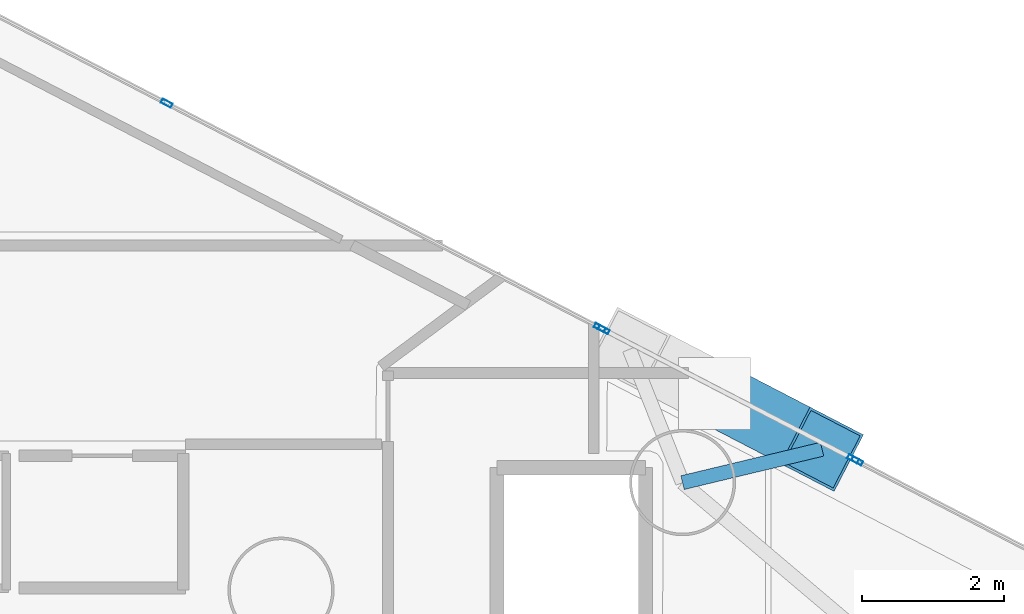
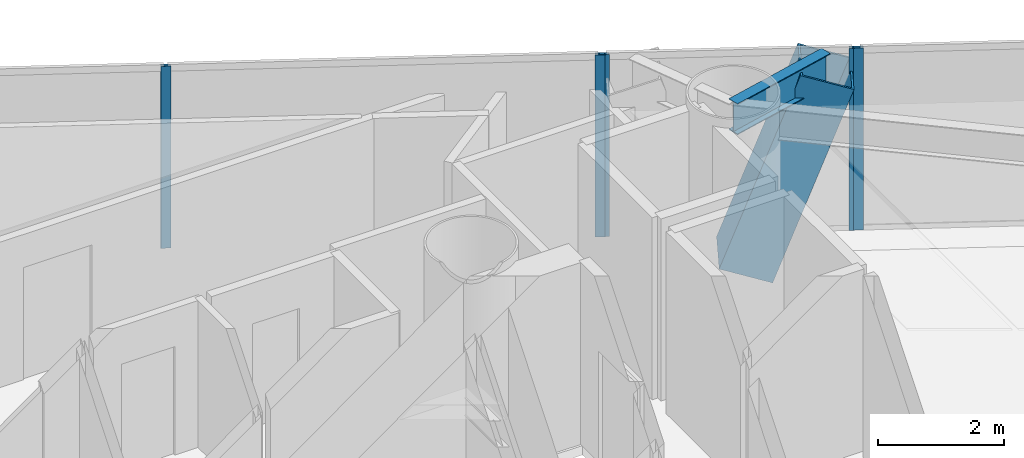
# One storey, part 11 of 21: 6 members, 1 beam, 3 elements without a shape of their own.
"""IFC4 building model written with IfcOpenShell, lengths in metres."""

import ifcopenshell
import ifcopenshell.guid

model = None  # the IFC model being written
_history = None  # IfcOwnerHistory: only IFC2X3 demands one
_inside = {}  # id of a spatial element -> (the spatial element, [elements in it])
_under = {}  # id of a project, library or spatial element -> (it, [spatial elements below it])
_declared = {}  # id of a project -> (the project, [libraries it declares])
_typed = {}  # id of a type object -> (the type object, [elements of that type])
_made_of = {}  # id of a material, layer set ... -> (it, [elements and type objects made of it])


def new_model(schema):
    """Start an empty IFC model of exactly this schema.

    Asked for "IFC4X3", IfcOpenShell would pick the latest addendum, in which some entities
    have other attributes; the version numbers below select the first issue.
    IFC2X3 requires an IfcOwnerHistory on every rooted entity: one is made here for all.
    """
    global model, _history
    if schema == "IFC4X3":
        model = ifcopenshell.file(schema_version=(4, 3, 0, 0))
    else:
        model = ifcopenshell.file(schema=schema)
    _inside.clear()
    _under.clear()
    _declared.clear()
    _typed.clear()
    _made_of.clear()
    _history = None
    if model.schema == "IFC2X3":
        org = make("IfcOrganization", Name="unknown")
        user = make(
            "IfcPersonAndOrganization",
            ThePerson=make("IfcPerson", FamilyName="unknown"),
            TheOrganization=org,
        )
        app = make(
            "IfcApplication",
            ApplicationDeveloper=org,
            Version="unknown",
            ApplicationFullName="unknown",
            ApplicationIdentifier="unknown",
        )
        _history = make(
            "IfcOwnerHistory",
            OwningUser=user,
            OwningApplication=app,
            ChangeAction="ADDED",
            CreationDate=0,
        )
    return model


def make(cls, **values):
    """One entity of the class cls with the attributes given. An attribute that is None is left unset."""
    return model.create_entity(
        cls, **{name: value for name, value in values.items() if value is not None}
    )


def rooted(cls, **values):
    """An entity with a GlobalId (a new one), such as an element, a storey or a relation."""
    return make(cls, GlobalId=ifcopenshell.guid.new(), OwnerHistory=_history, **values)


def si_unit(unit_type, name, prefix=None):
    """IfcSIUnit, for example si_unit("LENGTHUNIT", "METRE", prefix="MILLI")."""
    return make("IfcSIUnit", UnitType=unit_type, Prefix=prefix, Name=name)


def assignment(units):
    """IfcUnitAssignment: the units of a project."""
    return None if units is None else make("IfcUnitAssignment", Units=units)


def point(xyz):
    """IfcCartesianPoint."""
    return None if xyz is None else make("IfcCartesianPoint", Coordinates=xyz)


def direction(xyz):
    """IfcDirection."""
    return None if xyz is None else make("IfcDirection", DirectionRatios=xyz)


def frame(location, z_axis=None, x_axis=None):
    """IfcAxis2Placement3D, a coordinate frame: its origin and axes. An axis left out is left unset."""
    return make(
        "IfcAxis2Placement3D",
        Location=point(location),
        Axis=direction(z_axis),
        RefDirection=direction(x_axis),
    )


def frame_2d(location, x_axis=None):
    """IfcAxis2Placement2D, a coordinate frame in the plane: its origin and x axis."""
    return make(
        "IfcAxis2Placement2D", Location=point(location), RefDirection=direction(x_axis)
    )


def origin():
    """The frame at (0, 0, 0) with its axes left unset."""
    return frame((0.0, 0.0, 0.0))


def origin_2d():
    """The frame at (0, 0) in the plane with its x axis left unset."""
    return frame_2d((0.0, 0.0))


def place(relative_to, where):
    """IfcLocalPlacement: puts the frame where relative to a parent placement (None: the world)."""
    return make(
        "IfcLocalPlacement", PlacementRelTo=relative_to, RelativePlacement=where
    )


def context(
    kind, dimensions, precision=None, world=None, true_north=None, identifier=None
):
    """IfcGeometricRepresentationContext, for example the 3D "Model" context."""
    return make(
        "IfcGeometricRepresentationContext",
        ContextIdentifier=identifier,
        ContextType=kind,
        CoordinateSpaceDimension=dimensions,
        Precision=precision,
        WorldCoordinateSystem=world,
        TrueNorth=true_north,
    )


def subcontext(parent, identifier, kind, view, scale=None):
    """IfcGeometricRepresentationSubContext, for example "Body" below "Model"."""
    return make(
        "IfcGeometricRepresentationSubContext",
        ContextIdentifier=identifier,
        ContextType=kind,
        ParentContext=parent,
        TargetScale=scale,
        TargetView=view,
    )


def project(units=None, contexts=None):
    """IfcProject with its units and contexts."""
    return rooted(
        "IfcProject",
        Name="project",
        RepresentationContexts=contexts,
        UnitsInContext=assignment(units),
    )


def spatial(cls, under=None, at=None, **own):
    """A site, building, storey or space (cls), placed at a placement, below another one or the project."""
    s = rooted(cls, ObjectPlacement=at, **own)
    if under is not None:
        _under.setdefault(under.id(), (under, []))[1].append(s)
    return s


def profile(cls, at=None, kind="AREA", **sizes):
    """A parametric profile (cls). Its sizes go by their IFC names, for example OverallWidth=200.0."""
    return make(cls, ProfileType=kind, Position=at, **sizes)


def hollow_rectangle(**sizes):
    """IfcRectangleHollowProfileDef."""
    return profile("IfcRectangleHollowProfileDef", **sizes)


def i_section(**sizes):
    """IfcIShapeProfileDef."""
    return profile("IfcIShapeProfileDef", **sizes)


def extrude(swept, where, along, depth):
    """IfcExtrudedAreaSolid: the profile swept, set in the frame where, extruded along a direction by depth."""
    return make(
        "IfcExtrudedAreaSolid",
        SweptArea=swept,
        Position=where,
        ExtrudedDirection=direction(along),
        Depth=depth,
    )


def shape(context_of_items, identifier, shape_type, items):
    """IfcShapeRepresentation: the items that make up one representation, for example the "Body"."""
    return make(
        "IfcShapeRepresentation",
        ContextOfItems=context_of_items,
        RepresentationIdentifier=identifier,
        RepresentationType=shape_type,
        Items=items,
    )


def material(Name=None, Category=None):
    """IfcMaterial."""
    return make("IfcMaterial", Name=Name, Category=Category)


def layer(
    of_material, thickness, ventilated=None, Name=None, Category=None, Priority=None
):
    """IfcMaterialLayer: one layer of a wall or slab, of a material (None: an air gap)."""
    return make(
        "IfcMaterialLayer",
        Material=of_material,
        LayerThickness=thickness,
        IsVentilated=ventilated,
        Name=Name,
        Category=Category,
        Priority=Priority,
    )


def layer_set(layers, Name=None):
    """IfcMaterialLayerSet."""
    return make("IfcMaterialLayerSet", MaterialLayers=layers, LayerSetName=Name)


def material_profile(
    of_material, cross_section, Name=None, Category=None, Priority=None
):
    """IfcMaterialProfile: a cross section and its material."""
    return make(
        "IfcMaterialProfile",
        Name=Name,
        Material=of_material,
        Profile=cross_section,
        Priority=Priority,
        Category=Category,
    )


def profile_set(profiles, Name=None, composite=None):
    """IfcMaterialProfileSet."""
    return make(
        "IfcMaterialProfileSet",
        Name=Name,
        MaterialProfiles=profiles,
        CompositeProfile=composite,
    )


def made_of(thing, what):
    """Note that an element or type object is made of a material, layer set ...; save() writes the relation."""
    if what is not None:
        _made_of.setdefault(what.id(), (what, []))[1].append(thing)
    return thing


def type_object(cls, material=None, **own):
    """A type object (cls), such as IfcWallType, which elements share."""
    return made_of(rooted(cls, **own), material)


def element(
    cls,
    number,
    at=None,
    inside=None,
    cuts=None,
    type_object=None,
    material=None,
    context=None,
    identifier="Body",
    shape_type=None,
    held_by="IfcProductDefinitionShape",
    body=None,
    shapes=None,
    **own,
):
    """One element of the class cls, such as IfcWall. Its Tag is "e" and its number.

    at: its placement. inside: the storey or other place that contains it. cuts: it is an
    opening in that element (IfcRelVoidsElement). A single representation is given by context,
    identifier, shape_type and body (its items); several are given by shapes. held_by: the class
    of the entity that holds the representations. save() writes the other relations.
    """
    e = rooted(cls, Tag="e%d" % number, ObjectPlacement=at, **own)
    if body is not None:
        shapes = [shape(context, identifier, shape_type, body)]
    if shapes is not None:
        e.Representation = make(held_by, Representations=shapes)
    if inside is not None:
        _inside.setdefault(inside.id(), (inside, []))[1].append(e)
    if cuts is not None:
        rooted(
            "IfcRelVoidsElement", RelatingBuildingElement=cuts, RelatedOpeningElement=e
        )
    if type_object is not None:
        _typed.setdefault(type_object.id(), (type_object, []))[1].append(e)
    return made_of(e, material)


def aggregate(whole, parts):
    """IfcRelAggregates: a whole, such as a stair, and the parts it consists of."""
    return rooted("IfcRelAggregates", RelatingObject=whole, RelatedObjects=parts)


def save(model, path):
    """Write the relations noted so far, then the file.

    IfcRelAggregates (storeys below a building ...), IfcRelContainedInSpatialStructure (elements
    in a storey), IfcRelDefinesByType, IfcRelAssociatesMaterial and IfcRelDeclares: one each for
    every whole, place, type object, material and project.
    """
    for whole, parts in _under.values():
        aggregate(whole, parts)
    for where, things in _inside.values():
        rooted(
            "IfcRelContainedInSpatialStructure",
            RelatedElements=things,
            RelatingStructure=where,
        )
    for kind, things in _typed.values():
        rooted("IfcRelDefinesByType", RelatedObjects=things, RelatingType=kind)
    for what, things in _made_of.values():
        rooted("IfcRelAssociatesMaterial", RelatedObjects=things, RelatingMaterial=what)
    for by, libraries in _declared.values():
        rooted("IfcRelDeclares", RelatingContext=by, RelatedDefinitions=libraries)
    model.write(path)


model = new_model("IFC4")

# Units and contexts
model_context = context("Model", 3, precision=1e-05, world=origin(), true_north=direction((0.0, 1.0)))
body_context = subcontext(model_context, "Body", "Model", "MODEL_VIEW")
ifc_project = project(units=[si_unit("LENGTHUNIT", "METRE"), si_unit("AREAUNIT", "SQUARE_METRE"), si_unit("VOLUMEUNIT", "CUBIC_METRE"), si_unit("PLANEANGLEUNIT", "RADIAN"), si_unit("MASSUNIT", "GRAM", prefix="KILO")], contexts=[model_context])

# Site, building, storey
site_placement = place(None, origin())
site = spatial("IfcSite", under=ifc_project, at=site_placement, CompositionType="ELEMENT")
building_placement = place(site_placement, origin())
building = spatial("IfcBuilding", under=site, at=building_placement, Name="Qianvela Tower", CompositionType="ELEMENT")
storey_placement = place(building_placement, frame((0.0, 0.0, 131.10009765625)))
storey = spatial("IfcBuildingStorey", under=building, at=storey_placement, Name="L33", CompositionType="ELEMENT", Elevation=131.10009765625)

# Beam
ifc_material_1 = material(Name="Steel Q355B", Category="steel")
ifc_material_profile_1 = material_profile(ifc_material_1, i_section(OverallWidth=0.199951171875, OverallDepth=0.60009765625, WebThickness=0.010986328125, FlangeThickness=0.01708984375, at=origin_2d()), Name="HN600x200x11x17")
ifc_profile_set_1 = profile_set([ifc_material_profile_1], Name="Steel Q355B")
beam_type = type_object("IfcBeamType", Name="BM-HN600-GIRD", PredefinedType="BEAM", material=ifc_profile_set_1)
beam_placement = place(storey_placement, frame((44.071044921875, 35.070068359375, 3.218017578125), z_axis=(0.972504195382, 0.232885357987, 0.0), x_axis=(-0.232885357987, 0.972504195382, 0.0)))
element("IfcBeam", 1, at=beam_placement, inside=storey, type_object=beam_type, Name="L33 Mega-Brace Column Tie Bracket F1-1", PredefinedType="BEAM", context=body_context, shape_type="SweptSolid", body=[
    extrude(i_section(OverallWidth=0.199951171875, OverallDepth=0.60009765625, WebThickness=0.010986328125, FlangeThickness=0.01708984375, at=origin_2d()), origin(), (0.0, 0.0, 1.0), 2.0263671875),
])

# Curtain wall, members
ifc_material_2 = material(Name="Anodised Architectural Aluminium and Insulated Spandrel Panel", Category="aluminium")
ifc_layer_1 = layer(ifc_material_2, 0.179931640625)
ifc_layer_set_1 = layer_set([ifc_layer_1], Name="Anodised Architectural Aluminium and Insulated Spandrel Panel")
curtain_wall_type_1 = type_object("IfcCurtainWallType", Name="CW-BRACEBAY", PredefinedType="USERDEFINED", material=ifc_layer_set_1)
curtain_wall_1_placement = place(storey_placement, origin())
curtain_wall_1 = element("IfcCurtainWall", 2, at=curtain_wall_1_placement, inside=storey, type_object=curtain_wall_type_1, Name="L33 CW-BRACEBAY Curtain Wall 02B", ObjectType="CURTAIN_WALL_SYSTEM", PredefinedType="USERDEFINED")
ifc_material_3 = material(Name="Anodised Architectural Aluminium 6063-T6", Category="aluminium")
ifc_material_profile_2 = material_profile(ifc_material_3, hollow_rectangle(XDim=0.06494140625, YDim=0.159912109375, WallThickness=0.0048828125, at=origin_2d()), Name="ALU-MULL-65x160")
ifc_profile_set_2 = profile_set([ifc_material_profile_2], Name="Anodised Architectural Aluminium 6063-T6")
member_type_1 = type_object("IfcMemberType", Name="CW-BRACEBAY-MULL", PredefinedType="MULLION", material=ifc_profile_set_2)
member_1_placement = place(storey_placement, frame((46.479248046875, 35.405517578125, 0.0), z_axis=(0.0, 0.0, 1.0), x_axis=(-0.46008029977, -0.887877310085, 0.0)))
member_1 = element("IfcMember", 3, at=member_1_placement, type_object=member_type_1, Name="CW-9 mullion 1", PredefinedType="MULLION", context=body_context, shape_type="SweptSolid", body=[
    extrude(hollow_rectangle(XDim=0.06494140625, YDim=0.159912109375, WallThickness=0.0048828125, at=origin_2d()), origin(), (0.0, 0.0, 1.0), 3.52001953125),
])
member_2_placement = place(storey_placement, frame((42.958984375, 37.229736328125, 0.0), z_axis=(0.0, 0.0, 1.0), x_axis=(-0.46008029977, -0.887877310085, 0.0)))
member_2 = element("IfcMember", 4, at=member_2_placement, type_object=member_type_1, Name="CW-9 mullion 2", PredefinedType="MULLION", context=body_context, shape_type="SweptSolid", body=[
    extrude(hollow_rectangle(XDim=0.06494140625, YDim=0.159912109375, WallThickness=0.0048828125, at=origin_2d()), origin(), (0.0, 0.0, 1.0), 3.52001953125),
])
aggregate(curtain_wall_1, [member_1, member_2])

# Curtain wall, member
ifc_material_4 = material(Name="Anodised Architectural Aluminium and Low-E Glass", Category="aluminium")
ifc_layer_2 = layer(ifc_material_4, 0.169921875)
ifc_layer_set_2 = layer_set([ifc_layer_2], Name="Anodised Architectural Aluminium and Low-E Glass")
curtain_wall_type_2 = type_object("IfcCurtainWallType", Name="CW-COLIV-Z34", PredefinedType="USERDEFINED", material=ifc_layer_set_2)
curtain_wall_2_placement = place(storey_placement, origin())
curtain_wall_2 = element("IfcCurtainWall", 5, at=curtain_wall_2_placement, inside=storey, type_object=curtain_wall_type_2, Name="L33 CW-COLIV-Z34 Curtain Wall 02A", ObjectType="CURTAIN_WALL_SYSTEM", PredefinedType="USERDEFINED")
ifc_material_5 = material(Name="Anodised Architectural Aluminium 6063-T6", Category="aluminium")
ifc_material_profile_3 = material_profile(ifc_material_5, hollow_rectangle(XDim=0.06494140625, YDim=0.159912109375, WallThickness=0.0048828125, at=origin_2d()), Name="ALU-MULL-65x160")
ifc_profile_set_3 = profile_set([ifc_material_profile_3], Name="Anodised Architectural Aluminium 6063-T6")
member_type_2 = type_object("IfcMemberType", Name="CW-COLIV-Z34-MULL", PredefinedType="MULLION", material=ifc_profile_set_3)
member_3_placement = place(storey_placement, frame((46.537109375, 35.37548828125, 0.0), z_axis=(0.0, 0.0, 1.0), x_axis=(-0.460093683076, -0.887870374995, 0.0)))
member_3 = element("IfcMember", 6, at=member_3_placement, type_object=member_type_2, Name="CW-4 mullion 3", PredefinedType="MULLION", context=body_context, shape_type="SweptSolid", body=[
    extrude(hollow_rectangle(XDim=0.06494140625, YDim=0.159912109375, WallThickness=0.0048828125, at=origin_2d()), origin(), (0.0, 0.0, 1.0), 3.52001953125),
])
aggregate(curtain_wall_2, [member_3])

# Curtain wall, members
curtain_wall_3_placement = place(storey_placement, origin())
curtain_wall_3 = element("IfcCurtainWall", 7, at=curtain_wall_3_placement, inside=storey, type_object=curtain_wall_type_2, Name="L33 CW-COLIV-Z34 Curtain Wall 02C", ObjectType="CURTAIN_WALL_SYSTEM", PredefinedType="USERDEFINED")
member_4_placement = place(storey_placement, frame((42.901123046875, 37.259521484375, 0.0), z_axis=(0.0, 0.0, 1.0), x_axis=(-0.460094279682, -0.887870065834, 0.0)))
member_4 = element("IfcMember", 8, at=member_4_placement, type_object=member_type_2, Name="CW-4 mullion 1", PredefinedType="MULLION", context=body_context, shape_type="SweptSolid", body=[
    extrude(hollow_rectangle(XDim=0.06494140625, YDim=0.159912109375, WallThickness=0.0048828125, at=origin_2d()), origin(), (0.0, 0.0, 1.0), 3.52001953125),
])
member_5_placement = place(storey_placement, frame((36.784423828125, 40.42919921875, 0.0), z_axis=(0.0, 0.0, 1.0), x_axis=(-0.460094279682, -0.887870065834, 0.0)))
member_5 = element("IfcMember", 9, at=member_5_placement, type_object=member_type_2, Name="CW-4 mullion 2", PredefinedType="MULLION", context=body_context, shape_type="SweptSolid", body=[
    extrude(hollow_rectangle(XDim=0.06494140625, YDim=0.159912109375, WallThickness=0.0048828125, at=origin_2d()), origin(), (0.0, 0.0, 1.0), 3.52001953125),
])
aggregate(curtain_wall_3, [member_4, member_5])

# Member
ifc_material_6 = material(Name="Steel Q420GJC", Category="steel")
ifc_material_profile_4 = material_profile(ifc_material_6, hollow_rectangle(XDim=0.89990234375, YDim=0.89990234375, WallThickness=0.035888671875, at=origin_2d()), Name="MBOX-900x900x36")
ifc_profile_set_4 = profile_set([ifc_material_profile_4], Name="Steel Q420GJC")
member_type_3 = type_object("IfcMemberType", Name="MBR-MBRACE-900", PredefinedType="BRACE", material=ifc_profile_set_4)
member_6_placement = place(storey_placement, frame((44.896240234375, 36.1357421875, -0.482177734375), z_axis=(0.292318676426, -0.151517267917, 0.944241658123), x_axis=(0.460184602592, 0.887823254672, 0.0)))
element("IfcMember", 10, at=member_6_placement, inside=storey, type_object=member_type_3, Name="L33 Tier 5 Exterior Mega-Brace F1A", PredefinedType="BRACE", context=body_context, shape_type="SweptSolid", body=[
    extrude(hollow_rectangle(XDim=0.89990234375, YDim=0.89990234375, WallThickness=0.035888671875, at=origin_2d()), origin(), (0.0, 0.0, 1.0), 3.918701171875),
])

save(model, "model.ifc")
